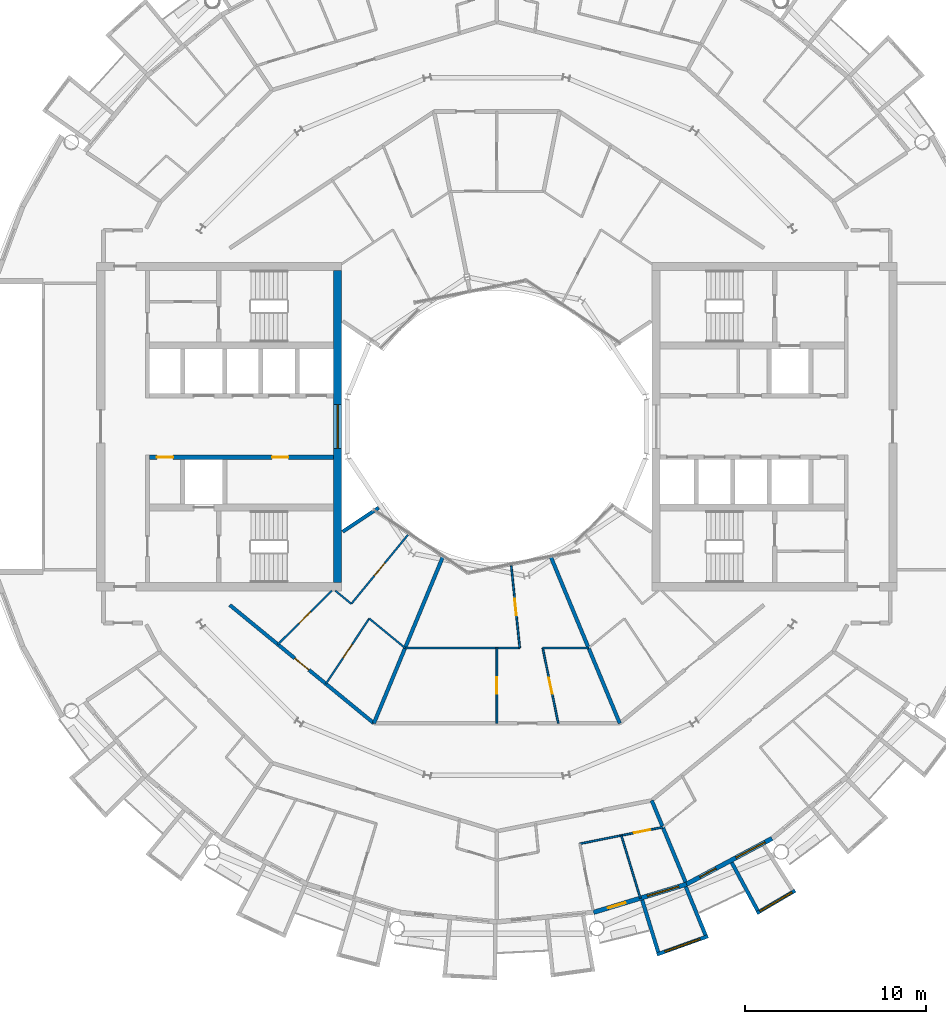
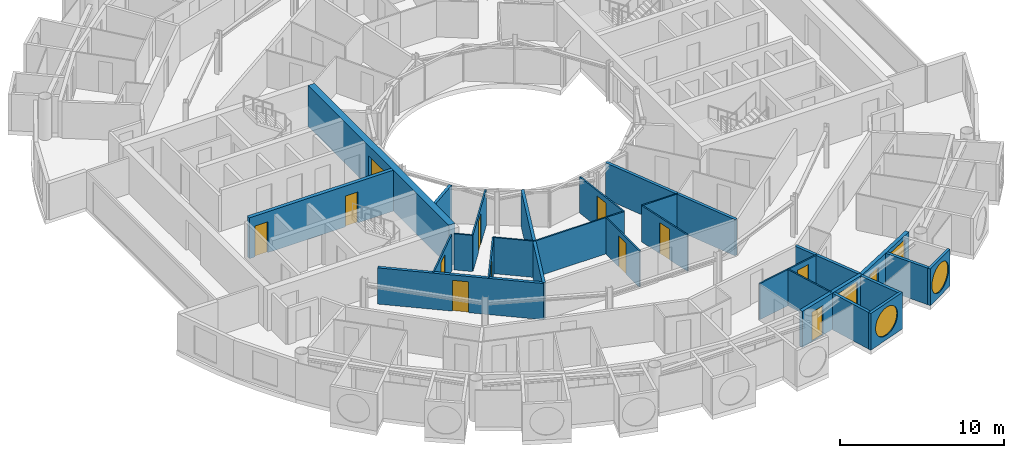
# One storey, part 17 of 28: 26 walls, 12 doors, 5 windows, 17 openings.
"""IFC4 building model written with IfcOpenShell, lengths in metres."""

from ifc_helpers import new_model, si_unit, direction, frame, frame_2d, origin, place, context, subcontext, project, spatial, rectangle, circle, extrude, material, layer, layer_set, type_object, element, fill, save


model = new_model("IFC4")

# Units and contexts
model_context = context("Model", 3, precision=1e-05, world=origin(), true_north=direction((0.0, 1.0)))
body_context = subcontext(model_context, "Body", "Model", "MODEL_VIEW")
ifc_project = project(units=[si_unit("LENGTHUNIT", "METRE"), si_unit("AREAUNIT", "SQUARE_METRE"), si_unit("VOLUMEUNIT", "CUBIC_METRE"), si_unit("PLANEANGLEUNIT", "RADIAN"), si_unit("MASSUNIT", "GRAM", prefix="KILO")], contexts=[model_context])

# Site, building, storey
site_placement = place(None, origin())
site = spatial("IfcSite", under=ifc_project, at=site_placement, CompositionType="ELEMENT")
building_placement = place(site_placement, origin())
building = spatial("IfcBuilding", under=site, at=building_placement, Name="Maasbend Ring Residences", CompositionType="ELEMENT")
storey_placement = place(building_placement, frame((0.0, 0.0, 196.300048828125)))
storey = spatial("IfcBuildingStorey", under=building, at=storey_placement, Name="L56", CompositionType="ELEMENT", Elevation=196.300048828125)

# Wall, openings, doors
ifc_material_1 = material(Name="Concrete C50/60", Category="concrete")
ifc_layer_1 = layer(ifc_material_1, 0.25)
ifc_layer_set_1 = layer_set([ifc_layer_1], Name="Concrete C50/60")
wall_type_1 = type_object("IfcWallType", Name="CORE WALL 250 C50/60", PredefinedType="SHEAR", material=ifc_layer_set_1)
wall_1_placement = place(storey_placement, frame((-9.0, -1.699951171875, 0.0), z_axis=(0.0, 0.0, 1.0), x_axis=(-1.0, 0.0, 0.0)))
wall_1 = element("IfcWall", 1, at=wall_1_placement, inside=storey, type_object=wall_type_1, Name="L56 core W wall SPN", PredefinedType="SHEAR", context=body_context, shape_type="SweptSolid", body=[
    extrude(rectangle(XDim=10.14990234375, YDim=0.25, at=frame_2d((5.074951171875, 0.0))), origin(), (0.0, 0.0, 1.0), 3.050048828125),
])
opening_1_placement = place(wall_1_placement, frame((2.487548828125, 0.0, 0.0)))
opening_1 = element("IfcOpeningElement", 2, at=opening_1_placement, cuts=wall_1, Name="Opening D-W5606", PredefinedType="OPENING", context=body_context, shape_type="SweptSolid", body=[
    extrude(rectangle(XDim=0.89990234375, YDim=2.300048828125, at=frame_2d((0.449951171875, 1.14990234375))), frame((0.0, 0.135009765625, 0.0), z_axis=(0.0, -1.0, 0.0), x_axis=(1.0, 0.0, 0.0)), (0.0, 0.0, 1.0), 0.27001953125),
])
opening_2_placement = place(wall_1_placement, frame((8.83740234375, 0.0, 0.0)))
opening_2 = element("IfcOpeningElement", 3, at=opening_2_placement, cuts=wall_1, Name="Opening D-W5607", PredefinedType="OPENING", context=body_context, shape_type="SweptSolid", body=[
    extrude(rectangle(XDim=0.89990234375, YDim=2.300048828125, at=frame_2d((0.449951171875, 1.14990234375))), frame((0.0, 0.135009765625, 0.0), z_axis=(0.0, -1.0, 0.0), x_axis=(1.0, 0.0, 0.0)), (0.0, 0.0, 1.0), 0.27001953125),
])
ifc_material_2 = material(Name="Steel, powder coated", Category="steel")
door_type_1 = type_object("IfcDoorType", Name="ROOM DOOR 900 X 2300 FD30S", OperationType="NOTDEFINED", PredefinedType="DOOR", material=ifc_material_2)
door_1_placement = place(opening_1_placement, origin())
door_1 = element("IfcDoor", 4, at=door_1_placement, inside=storey, type_object=door_type_1, Name="Room door L56", OperationType="SINGLE_SWING_RIGHT", OverallHeight=2.300048828125, OverallWidth=0.89990234375, PredefinedType="DOOR", context=body_context, shape_type="SweptSolid", body=[
    extrude(rectangle(XDim=0.89990234375, YDim=2.300048828125, at=frame_2d((0.449951171875, 1.14990234375))), frame((0.0, 0.02490234375, 0.0), z_axis=(0.0, -1.0, 0.0), x_axis=(1.0, 0.0, 0.0)), (0.0, 0.0, 1.0), 0.050048828125),
])
fill(opening_1, door_1)
door_2_placement = place(opening_2_placement, origin())
door_2 = element("IfcDoor", 5, at=door_2_placement, inside=storey, type_object=door_type_1, Name="Room door L56", OperationType="SINGLE_SWING_LEFT", OverallHeight=2.300048828125, OverallWidth=0.89990234375, PredefinedType="DOOR", context=body_context, shape_type="SweptSolid", body=[
    extrude(rectangle(XDim=0.89990234375, YDim=2.300048828125, at=frame_2d((0.449951171875, 1.14990234375))), frame((0.0, 0.02490234375, 0.0), z_axis=(0.0, -1.0, 0.0), x_axis=(1.0, 0.0, 0.0)), (0.0, 0.0, 1.0), 0.050048828125),
])
fill(opening_2, door_2)

# Wall, opening, window
ifc_material_3 = material(Name="Concrete C50/60", Category="concrete")
ifc_layer_2 = layer(ifc_material_3, 0.449951171875)
ifc_layer_set_2 = layer_set([ifc_layer_2], Name="Concrete C50/60")
wall_type_2 = type_object("IfcWallType", Name="CORE WALL 450 C50/60", PredefinedType="SHEAR", material=ifc_layer_set_2)
wall_2_placement = place(storey_placement, frame((-8.77490234375, 8.60009765625, 0.0), z_axis=(0.0, 0.0, 1.0), x_axis=(0.0, -1.0, 0.0)))
wall_2 = element("IfcWall", 6, at=wall_2_placement, inside=storey, type_object=wall_type_2, Name="L56 core W wall PIN", PredefinedType="SHEAR", context=body_context, shape_type="SweptSolid", body=[
    extrude(rectangle(XDim=17.2001953125, YDim=0.449951171875, at=frame_2d((8.60009765625, 0.0))), origin(), (0.0, 0.0, 1.0), 3.050048828125),
])
opening_3_placement = place(wall_2_placement, frame((7.39990234375, 0.0, 0.10009765625)))
opening_3 = element("IfcOpeningElement", 7, at=opening_3_placement, cuts=wall_2, Name="Opening W-W5601", PredefinedType="OPENING", context=body_context, shape_type="SweptSolid", body=[
    extrude(rectangle(XDim=2.39990234375, YDim=2.199951171875, at=frame_2d((1.199951171875, 1.10009765625))), frame((0.0, 0.23486328125, 0.0), z_axis=(0.0, -1.0, 0.0), x_axis=(1.0, 0.0, 0.0)), (0.0, 0.0, 1.0), 0.469970703125),
])
ifc_material_4 = material(Name="Aluminium frame and clear glass", Category="aluminium")
window_type_1 = type_object("IfcWindowType", Name="FIXED WINDOW 2400 X 2200", PartitioningType="SINGLE_PANEL", PredefinedType="WINDOW", material=ifc_material_4)
window_1_placement = place(opening_3_placement, origin())
window_1 = element("IfcWindow", 8, at=window_1_placement, inside=storey, type_object=window_type_1, Name="Lobby window L56", OverallHeight=2.199951171875, OverallWidth=2.39990234375, PartitioningType="SINGLE_PANEL", PredefinedType="WINDOW", context=body_context, shape_type="SweptSolid", body=[
    extrude(rectangle(XDim=2.39990234375, YDim=2.199951171875, at=frame_2d((1.199951171875, 1.10009765625))), frame((0.0, 0.030029296875, 0.0), z_axis=(0.0, -1.0, 0.0), x_axis=(1.0, 0.0, 0.0)), (0.0, 0.0, 1.0), 0.06005859375),
])
fill(opening_3, window_1)

# Wall, opening, door
ifc_material_5 = material(Name="Concrete C30/37", Category="concrete")
ifc_layer_3 = layer(ifc_material_5, 0.199951171875)
ifc_layer_set_3 = layer_set([ifc_layer_3], Name="Concrete C30/37")
wall_type_3 = type_object("IfcWallType", Name="CORRIDOR WALL 200 CONCRETE", PredefinedType="PARTITIONING", material=ifc_layer_set_3)
wall_3_placement = place(storey_placement, frame((-14.717041015625, -9.833984375, 0.0), z_axis=(0.0, 0.0, 1.0), x_axis=(0.773034536097, -0.634363938131, 0.0)))
wall_3 = element("IfcWall", 9, at=wall_3_placement, inside=storey, type_object=wall_type_3, Name="U-L56-w017", PredefinedType="PARTITIONING", context=body_context, shape_type="SweptSolid", body=[
    extrude(rectangle(XDim=10.276611328125, YDim=0.199951171875, at=frame_2d((5.13818359375, 0.0))), origin(), (0.0, 0.0, 1.0), 2.699951171875),
])
opening_4_placement = place(wall_3_placement, frame((4.637939453125, 0.0, 0.0)))
opening_4 = element("IfcOpeningElement", 10, at=opening_4_placement, cuts=wall_3, Name="Opening D-5649", PredefinedType="OPENING", context=body_context, shape_type="SweptSolid", body=[
    extrude(rectangle(XDim=1.0, YDim=2.300048828125, at=frame_2d((0.5, 1.14990234375))), frame((0.0, 0.10986328125, 0.0), z_axis=(0.0, -1.0, 0.0), x_axis=(1.0, 0.0, 0.0)), (0.0, 0.0, 1.0), 0.219970703125),
])
ifc_material_6 = material(Name="Timber, fire-rated, painted", Category="wood")
door_type_2 = type_object("IfcDoorType", Name="FLAT ENTRANCE DOOR 1000 X 2300 FIRE-RATED", OperationType="NOTDEFINED", PredefinedType="DOOR", material=ifc_material_6)
door_3_placement = place(opening_4_placement, origin())
door_3 = element("IfcDoor", 11, at=door_3_placement, inside=storey, type_object=door_type_2, Name="D-5649", OperationType="SINGLE_SWING_LEFT", OverallHeight=2.300048828125, OverallWidth=1.0, PredefinedType="DOOR", context=body_context, shape_type="SweptSolid", body=[
    extrude(rectangle(XDim=1.0, YDim=2.300048828125, at=frame_2d((0.5, 1.14990234375))), frame((0.0, 0.02490234375, 0.0), z_axis=(0.0, -1.0, 0.0), x_axis=(1.0, 0.0, 0.0)), (0.0, 0.0, 1.0), 0.050048828125),
])
fill(opening_4, door_3)

# Wall, opening, window
ifc_material_7 = material(Name="Pale anodised aluminium panel", Category="aluminium")
ifc_layer_4 = layer(ifc_material_7, 0.199951171875)
ifc_layer_set_4 = layer_set([ifc_layer_4], Name="EW-BOX")
wall_type_4 = type_object("IfcWallType", Name="EW-BOX", PredefinedType="SOLIDWALL", material=ifc_layer_set_4)
wall_4_placement = place(storey_placement, frame((8.820068359375, -29.093017578125, -0.030029296875), z_axis=(0.0, 0.0, 1.0), x_axis=(0.941461077774, 0.337121697664, 0.0)))
wall_4 = element("IfcWall", 12, at=wall_4_placement, inside=storey, type_object=wall_type_4, Name="Box front S14", PredefinedType="SOLIDWALL", context=body_context, shape_type="SweptSolid", body=[
    extrude(rectangle(XDim=2.9931640625, YDim=0.199951171875, at=frame_2d((1.49658203125, 0.0))), origin(), (0.0, 0.0, 1.0), 2.72998046875),
])
opening_5_placement = place(wall_4_placement, frame((0.45654296875, 0.0, 0.330078125)))
opening_5 = element("IfcOpeningElement", 13, at=opening_5_placement, cuts=wall_4, Name="Opening W-RD", PredefinedType="OPENING", context=body_context, shape_type="SweptSolid", body=[
    extrude(circle(Radius=1.0400390625, at=frame_2d((1.0400390625, 1.0400390625))), frame((0.0, 0.10986328125, 0.0), z_axis=(0.0, -1.0, 0.0), x_axis=(1.0, 0.0, 0.0)), (0.0, 0.0, 1.0), 0.219970703125),
])
ifc_material_8 = material(Name="Aluminium and clear glass", Category="aluminium")
window_type_2 = type_object("IfcWindowType", Name="W-RD", PartitioningType="SINGLE_PANEL", PredefinedType="WINDOW", material=ifc_material_8)
window_2_placement = place(opening_5_placement, origin())
window_2 = element("IfcWindow", 14, at=window_2_placement, inside=storey, type_object=window_type_2, Name="Round window S14", OverallHeight=2.080078125, OverallWidth=2.080078125, PartitioningType="SINGLE_PANEL", PredefinedType="WINDOW", context=body_context, shape_type="SweptSolid", body=[
    extrude(circle(Radius=1.0400390625, at=frame_2d((1.0400390625, 1.0400390625))), frame((0.0, 0.030029296875, 0.0), z_axis=(0.0, -1.0, 0.0), x_axis=(1.0, 0.0, 0.0)), (0.0, 0.0, 1.0), 0.06005859375),
])
fill(opening_5, window_2)

# Walls
wall_5_placement = place(storey_placement, frame((8.009033203125, -26.092041015625, -0.030029296875), z_axis=(0.0, 0.0, 1.0), x_axis=(0.293406695073, -0.955987715029, 0.0)))
element("IfcWall", 15, at=wall_5_placement, inside=storey, type_object=wall_type_4, Name="Box side wall S14 left", PredefinedType="SOLIDWALL", context=body_context, shape_type="SweptSolid", body=[
    extrude(rectangle(XDim=3.00634765625, YDim=0.199951171875, at=frame_2d((1.503173828125, 0.0))), origin(), (0.0, 0.0, 1.0), 2.72998046875),
])
wall_6_placement = place(storey_placement, frame((10.408935546875, -25.364013671875, -0.030029296875), z_axis=(0.0, 0.0, 1.0), x_axis=(0.379509886562, -0.925187681501, 0.0)))
element("IfcWall", 16, at=wall_6_placement, inside=storey, type_object=wall_type_4, Name="Box side wall S14 right", PredefinedType="SOLIDWALL", context=body_context, shape_type="SweptSolid", body=[
    extrude(rectangle(XDim=2.882568359375, YDim=0.199951171875, at=frame_2d((1.44140625, 0.0))), origin(), (0.0, 0.0, 1.0), 2.72998046875),
])

# Wall, opening, window
wall_7_placement = place(storey_placement, frame((14.326904296875, -26.81201171875, -0.030029296875), z_axis=(0.0, 0.0, 1.0), x_axis=(0.862403467503, 0.506221551535, 0.0)))
wall_7 = element("IfcWall", 17, at=wall_7_placement, inside=storey, type_object=wall_type_4, Name="Box front S16", PredefinedType="SOLIDWALL", context=body_context, shape_type="SweptSolid", body=[
    extrude(rectangle(XDim=2.445556640625, YDim=0.199951171875, at=frame_2d((1.22265625, 0.0))), origin(), (0.0, 0.0, 1.0), 2.72998046875),
])
opening_6_placement = place(wall_7_placement, frame((0.182861328125, 0.0, 0.330078125)))
opening_6 = element("IfcOpeningElement", 18, at=opening_6_placement, cuts=wall_7, Name="Opening W-RD", PredefinedType="OPENING", context=body_context, shape_type="SweptSolid", body=[
    extrude(circle(Radius=1.0400390625, at=frame_2d((1.0400390625, 1.0400390625))), frame((0.0, 0.10986328125, 0.0), z_axis=(0.0, -1.0, 0.0), x_axis=(1.0, 0.0, 0.0)), (0.0, 0.0, 1.0), 0.219970703125),
])
window_3_placement = place(opening_6_placement, origin())
window_3 = element("IfcWindow", 19, at=window_3_placement, inside=storey, type_object=window_type_2, Name="Round window S16", OverallHeight=2.080078125, OverallWidth=2.080078125, PartitioningType="SINGLE_PANEL", PredefinedType="WINDOW", context=body_context, shape_type="SweptSolid", body=[
    extrude(circle(Radius=1.0400390625, at=frame_2d((1.0400390625, 1.0400390625))), frame((0.0, 0.030029296875, 0.0), z_axis=(0.0, -1.0, 0.0), x_axis=(1.0, 0.0, 0.0)), (0.0, 0.0, 1.0), 0.06005859375),
])
fill(opening_6, window_3)

# Wall
wall_8_placement = place(storey_placement, frame((12.945068359375, -24.029052734375, -0.030029296875), z_axis=(0.0, 0.0, 1.0), x_axis=(0.474424310775, -0.88029629861, 0.0)))
element("IfcWall", 20, at=wall_8_placement, inside=storey, type_object=wall_type_4, Name="Box side wall S16 left", PredefinedType="SOLIDWALL", context=body_context, shape_type="SweptSolid", body=[
    extrude(rectangle(XDim=3.005859375, YDim=0.199951171875, at=frame_2d((1.5029296875, 0.0))), origin(), (0.0, 0.0, 1.0), 2.72998046875),
])

# Wall, openings, door, window
ifc_material_9 = material(Name="Aluminium clad insulated panel", Category="aluminium")
ifc_layer_5 = layer(ifc_material_9, 0.25)
ifc_layer_set_5 = layer_set([ifc_layer_5], Name="EW-GL")
wall_type_5 = type_object("IfcWallType", Name="EW-GL", PredefinedType="SOLIDWALL", material=ifc_layer_set_5)
wall_9_placement = place(storey_placement, frame((5.325927734375, -26.77490234375, 0.0), z_axis=(0.0, 0.0, 1.0), x_axis=(0.956965678721, 0.290201119486, 0.0)))
wall_9 = element("IfcWall", 21, at=wall_9_placement, inside=storey, type_object=wall_type_5, Name="External wall S07", PredefinedType="SOLIDWALL", context=body_context, shape_type="SweptSolid", body=[
    extrude(rectangle(XDim=5.351318359375, YDim=0.25, at=frame_2d((2.67578125, 0.0))), origin(), (0.0, 0.0, 1.0), 2.699951171875),
])
opening_7_placement = place(wall_9_placement, frame((0.841064453125, 0.0, 0.0)))
opening_7 = element("IfcOpeningElement", 22, at=opening_7_placement, cuts=wall_9, Name="Opening D-LG", PredefinedType="OPENING", context=body_context, shape_type="SweptSolid", body=[
    extrude(rectangle(XDim=1.0, YDim=2.199951171875, at=frame_2d((0.5, 1.10009765625))), frame((0.0, 0.135009765625, 0.0), z_axis=(0.0, -1.0, 0.0), x_axis=(1.0, 0.0, 0.0)), (0.0, 0.0, 1.0), 0.27001953125),
])
opening_8_placement = place(wall_9_placement, frame((3.110595703125, 0.0, 0.300048828125)))
opening_8 = element("IfcOpeningElement", 23, at=opening_8_placement, cuts=wall_9, Name="Opening W-BX", PredefinedType="OPENING", context=body_context, shape_type="SweptSolid", body=[
    extrude(rectangle(XDim=1.800048828125, YDim=2.10009765625, at=frame_2d((0.89990234375, 1.050048828125))), frame((0.0, 0.135009765625, 0.0), z_axis=(0.0, -1.0, 0.0), x_axis=(1.0, 0.0, 0.0)), (0.0, 0.0, 1.0), 0.27001953125),
])
ifc_material_10 = material(Name="Aluminium and clear glass", Category="aluminium")
door_type_3 = type_object("IfcDoorType", Name="D-LG", OperationType="SINGLE_SWING_LEFT", PredefinedType="DOOR", material=ifc_material_10)
door_4_placement = place(opening_7_placement, origin())
door_4 = element("IfcDoor", 24, at=door_4_placement, inside=storey, type_object=door_type_3, Name="Loggia door S13", OperationType="SINGLE_SWING_LEFT", OverallHeight=2.199951171875, OverallWidth=1.0, PredefinedType="DOOR", context=body_context, shape_type="SweptSolid", body=[
    extrude(rectangle(XDim=1.0, YDim=2.199951171875, at=frame_2d((0.5, 1.10009765625))), frame((0.0, 0.02490234375, 0.0), z_axis=(0.0, -1.0, 0.0), x_axis=(1.0, 0.0, 0.0)), (0.0, 0.0, 1.0), 0.050048828125),
])
fill(opening_7, door_4)
ifc_material_11 = material(Name="Aluminium and clear glass", Category="aluminium")
window_type_3 = type_object("IfcWindowType", Name="W-BX", PartitioningType="DOUBLE_PANEL_VERTICAL", PredefinedType="WINDOW", material=ifc_material_11)
window_4_placement = place(opening_8_placement, origin())
window_4 = element("IfcWindow", 25, at=window_4_placement, inside=storey, type_object=window_type_3, Name="Window S14 room to box", OverallHeight=2.10009765625, OverallWidth=1.800048828125, PartitioningType="SINGLE_PANEL", PredefinedType="WINDOW", context=body_context, shape_type="SweptSolid", body=[
    extrude(rectangle(XDim=1.800048828125, YDim=2.10009765625, at=frame_2d((0.89990234375, 1.050048828125))), frame((0.0, 0.030029296875, 0.0), z_axis=(0.0, -1.0, 0.0), x_axis=(1.0, 0.0, 0.0)), (0.0, 0.0, 1.0), 0.06005859375),
])
fill(opening_8, window_4)

wall_10_placement = place(storey_placement, frame((10.447021484375, -25.221923828125, 0.0), z_axis=(0.0, 0.0, 1.0), x_axis=(0.881915646801, 0.471407246368, 0.0)))
wall_10 = element("IfcWall", 26, at=wall_10_placement, inside=storey, type_object=wall_type_5, Name="External wall S08", PredefinedType="SOLIDWALL", context=body_context, shape_type="SweptSolid", body=[
    extrude(rectangle(XDim=5.35205078125, YDim=0.25, at=frame_2d((2.676025390625, 0.0))), origin(), (0.0, 0.0, 1.0), 2.699951171875),
])
opening_9_placement = place(wall_10_placement, frame((0.841064453125, 0.0, 0.0)))
opening_9 = element("IfcOpeningElement", 27, at=opening_9_placement, cuts=wall_10, Name="Opening D-LG", PredefinedType="OPENING", context=body_context, shape_type="SweptSolid", body=[
    extrude(rectangle(XDim=1.0, YDim=2.199951171875, at=frame_2d((0.5, 1.10009765625))), frame((0.0, 0.135009765625, 0.0), z_axis=(0.0, -1.0, 0.0), x_axis=(1.0, 0.0, 0.0)), (0.0, 0.0, 1.0), 0.27001953125),
])
opening_10_placement = place(wall_10_placement, frame((3.110595703125, 0.0, 0.300048828125)))
opening_10 = element("IfcOpeningElement", 28, at=opening_10_placement, cuts=wall_10, Name="Opening W-BX", PredefinedType="OPENING", context=body_context, shape_type="SweptSolid", body=[
    extrude(rectangle(XDim=1.800048828125, YDim=2.10009765625, at=frame_2d((0.89990234375, 1.050048828125))), frame((0.0, 0.135009765625, 0.0), z_axis=(0.0, -1.0, 0.0), x_axis=(1.0, 0.0, 0.0)), (0.0, 0.0, 1.0), 0.27001953125),
])
door_5_placement = place(opening_9_placement, origin())
door_5 = element("IfcDoor", 29, at=door_5_placement, inside=storey, type_object=door_type_3, Name="Loggia door S15", OperationType="SINGLE_SWING_LEFT", OverallHeight=2.199951171875, OverallWidth=1.0, PredefinedType="DOOR", context=body_context, shape_type="SweptSolid", body=[
    extrude(rectangle(XDim=1.0, YDim=2.199951171875, at=frame_2d((0.5, 1.10009765625))), frame((0.0, 0.02490234375, 0.0), z_axis=(0.0, -1.0, 0.0), x_axis=(1.0, 0.0, 0.0)), (0.0, 0.0, 1.0), 0.050048828125),
])
fill(opening_9, door_5)
window_5_placement = place(opening_10_placement, origin())
window_5 = element("IfcWindow", 30, at=window_5_placement, inside=storey, type_object=window_type_3, Name="Window S16 room to box", OverallHeight=2.10009765625, OverallWidth=1.800048828125, PartitioningType="SINGLE_PANEL", PredefinedType="WINDOW", context=body_context, shape_type="SweptSolid", body=[
    extrude(rectangle(XDim=1.800048828125, YDim=2.10009765625, at=frame_2d((0.89990234375, 1.050048828125))), frame((0.0, 0.030029296875, 0.0), z_axis=(0.0, -1.0, 0.0), x_axis=(1.0, 0.0, 0.0)), (0.0, 0.0, 1.0), 0.06005859375),
])
fill(opening_10, window_5)

# Wall, opening, door
ifc_material_12 = material(Name="Gypsum board on steel studs", Category="steel")
ifc_layer_6 = layer(ifc_material_12, 0.10009765625)
ifc_layer_set_6 = layer_set([ifc_layer_6], Name="PARTITION 100 GYPSUM")
wall_type_6 = type_object("IfcWallType", Name="PARTITION 100 GYPSUM", PredefinedType="PARTITIONING", material=ifc_layer_set_6)
wall_11_placement = place(storey_placement, frame((4.576904296875, -22.989013671875, 0.0), z_axis=(0.0, 0.0, 1.0), x_axis=(0.980813600024, 0.194947895622, 0.0)))
wall_11 = element("IfcWall", 31, at=wall_11_placement, inside=storey, type_object=wall_type_6, Name="U-L56-w004", PredefinedType="PARTITIONING", context=body_context, shape_type="SweptSolid", body=[
    extrude(rectangle(XDim=4.662353515625, YDim=0.10009765625, at=frame_2d((2.3310546875, 0.0))), origin(), (0.0, 0.0, 1.0), 2.699951171875),
])
opening_11_placement = place(wall_11_placement, frame((3.04296875, 0.0, 0.0)))
opening_11 = element("IfcOpeningElement", 32, at=opening_11_placement, cuts=wall_11, Name="Opening D-5643", PredefinedType="OPENING", context=body_context, shape_type="SweptSolid", body=[
    extrude(rectangle(XDim=0.89990234375, YDim=2.300048828125, at=frame_2d((0.449951171875, 1.14990234375))), frame((0.0, 0.06005859375, 0.0), z_axis=(0.0, -1.0, 0.0), x_axis=(1.0, 0.0, 0.0)), (0.0, 0.0, 1.0), 0.1201171875),
])
ifc_material_13 = material(Name="Timber, painted", Category="wood")
door_type_4 = type_object("IfcDoorType", Name="INTERNAL DOOR 900 X 2300", OperationType="NOTDEFINED", PredefinedType="DOOR", material=ifc_material_13)
door_6_placement = place(opening_11_placement, origin())
door_6 = element("IfcDoor", 33, at=door_6_placement, inside=storey, type_object=door_type_4, Name="D-5643", OperationType="SINGLE_SWING_RIGHT", OverallHeight=2.300048828125, OverallWidth=0.89990234375, PredefinedType="DOOR", context=body_context, shape_type="SweptSolid", body=[
    extrude(rectangle(XDim=0.89990234375, YDim=2.300048828125, at=frame_2d((0.449951171875, 1.14990234375))), frame((0.0, 0.02490234375, 0.0), z_axis=(0.0, -1.0, 0.0), x_axis=(1.0, 0.0, 0.0)), (0.0, 0.0, 1.0), 0.050048828125),
])
fill(opening_11, door_6)

# Walls
wall_12_placement = place(storey_placement, frame((-8.90087890625, -9.047119140625, 0.0), z_axis=(0.0, 0.0, 1.0), x_axis=(0.772786083133, -0.634666581534, 0.0)))
element("IfcWall", 34, at=wall_12_placement, inside=storey, type_object=wall_type_6, Name="U-L56-w020", PredefinedType="PARTITIONING", context=body_context, shape_type="SweptSolid", body=[
    extrude(rectangle(XDim=1.1435546875, YDim=0.10009765625, at=frame_2d((0.57177734375, 0.0))), origin(), (0.0, 0.0, 1.0), 2.699951171875),
])
wall_13_placement = place(storey_placement, frame((-7.031005859375, -10.58203125, 0.0), z_axis=(0.0, 0.0, 1.0), x_axis=(0.772943675046, -0.634474645046, 0.0)))
element("IfcWall", 35, at=wall_13_placement, inside=storey, type_object=wall_type_6, Name="U-L56-w021", PredefinedType="PARTITIONING", context=body_context, shape_type="SweptSolid", body=[
    extrude(rectangle(XDim=2.556640625, YDim=0.10009765625, at=frame_2d((1.2783203125, 0.0))), origin(), (0.0, 0.0, 1.0), 2.699951171875),
])
wall_14_placement = place(storey_placement, frame((-5.054931640625, -12.2041015625, 0.0), z_axis=(0.0, 0.0, 1.0), x_axis=(1.0, 0.0, 0.0)))
element("IfcWall", 36, at=wall_14_placement, inside=storey, type_object=wall_type_6, Name="U-L56-w024", PredefinedType="PARTITIONING", context=body_context, shape_type="SweptSolid", body=[
    extrude(rectangle(XDim=6.31884765625, YDim=0.10009765625, at=frame_2d((3.159423828125, 0.0))), origin(), (0.0, 0.0, 1.0), 2.699951171875),
])
wall_15_placement = place(storey_placement, frame((2.527099609375, -12.2041015625, 0.0), z_axis=(0.0, 0.0, 1.0), x_axis=(1.0, 0.0, 0.0)))
element("IfcWall", 37, at=wall_15_placement, inside=storey, type_object=wall_type_6, Name="U-L56-w025", PredefinedType="PARTITIONING", context=body_context, shape_type="SweptSolid", body=[
    extrude(rectangle(XDim=2.52783203125, YDim=0.10009765625, at=frame_2d((1.263916015625, 0.0))), origin(), (0.0, 0.0, 1.0), 2.699951171875),
])

# Wall, opening, door
wall_16_placement = place(storey_placement, frame((-12.069091796875, -12.007080078125, 0.0), z_axis=(0.0, 0.0, 1.0), x_axis=(0.708909651863, 0.705299302067, 0.0)))
wall_16 = element("IfcWall", 38, at=wall_16_placement, inside=storey, type_object=wall_type_6, Name="U-L56-w043", PredefinedType="PARTITIONING", context=body_context, shape_type="SweptSolid", body=[
    extrude(rectangle(XDim=4.192626953125, YDim=0.10009765625, at=frame_2d((2.09619140625, 0.0))), origin(), (0.0, 0.0, 1.0), 2.699951171875),
])
opening_12_placement = place(wall_16_placement, frame((1.64599609375, 0.0, 0.0)))
opening_12 = element("IfcOpeningElement", 39, at=opening_12_placement, cuts=wall_16, Name="Opening D-5651", PredefinedType="OPENING", context=body_context, shape_type="SweptSolid", body=[
    extrude(rectangle(XDim=0.89990234375, YDim=2.300048828125, at=frame_2d((0.449951171875, 1.14990234375))), frame((0.0, 0.06005859375, 0.0), z_axis=(0.0, -1.0, 0.0), x_axis=(1.0, 0.0, 0.0)), (0.0, 0.0, 1.0), 0.1201171875),
])
door_7_placement = place(opening_12_placement, origin())
door_7 = element("IfcDoor", 40, at=door_7_placement, inside=storey, type_object=door_type_4, Name="D-5651", OperationType="SINGLE_SWING_LEFT", OverallHeight=2.300048828125, OverallWidth=0.89990234375, PredefinedType="DOOR", context=body_context, shape_type="SweptSolid", body=[
    extrude(rectangle(XDim=0.89990234375, YDim=2.300048828125, at=frame_2d((0.449951171875, 1.14990234375))), frame((0.0, 0.02490234375, 0.0), z_axis=(0.0, -1.0, 0.0), x_axis=(1.0, 0.0, 0.0)), (0.0, 0.0, 1.0), 0.050048828125),
])
fill(opening_12, door_7)

wall_17_placement = place(storey_placement, frame((-9.4208984375, -14.179931640625, 0.0), z_axis=(0.0, 0.0, 1.0), x_axis=(0.553303732327, 0.832979579457, 0.0)))
wall_17 = element("IfcWall", 41, at=wall_17_placement, inside=storey, type_object=wall_type_6, Name="U-L56-w046", PredefinedType="PARTITIONING", context=body_context, shape_type="SweptSolid", body=[
    extrude(rectangle(XDim=4.3193359375, YDim=0.10009765625, at=frame_2d((2.15966796875, 0.0))), origin(), (0.0, 0.0, 1.0), 2.699951171875),
])
opening_13_placement = place(wall_17_placement, frame((1.7099609375, 0.0, 0.0)))
opening_13 = element("IfcOpeningElement", 42, at=opening_13_placement, cuts=wall_17, Name="Opening D-5650", PredefinedType="OPENING", context=body_context, shape_type="SweptSolid", body=[
    extrude(rectangle(XDim=0.89990234375, YDim=2.300048828125, at=frame_2d((0.449951171875, 1.14990234375))), frame((0.0, 0.06005859375, 0.0), z_axis=(0.0, -1.0, 0.0), x_axis=(1.0, 0.0, 0.0)), (0.0, 0.0, 1.0), 0.1201171875),
])
door_8_placement = place(opening_13_placement, origin())
door_8 = element("IfcDoor", 43, at=door_8_placement, inside=storey, type_object=door_type_4, Name="D-5650", OperationType="SINGLE_SWING_RIGHT", OverallHeight=2.300048828125, OverallWidth=0.89990234375, PredefinedType="DOOR", context=body_context, shape_type="SweptSolid", body=[
    extrude(rectangle(XDim=0.89990234375, YDim=2.300048828125, at=frame_2d((0.449951171875, 1.14990234375))), frame((0.0, 0.02490234375, 0.0), z_axis=(0.0, -1.0, 0.0), x_axis=(1.0, 0.0, 0.0)), (0.0, 0.0, 1.0), 0.050048828125),
])
fill(opening_13, door_8)

wall_18_placement = place(storey_placement, frame((-8.01904296875, -9.77099609375, 0.0), z_axis=(0.0, 0.0, 1.0), x_axis=(0.634401778971, 0.773003481776, 0.0)))
wall_18 = element("IfcWall", 44, at=wall_18_placement, inside=storey, type_object=wall_type_6, Name="U-L56-w048", PredefinedType="PARTITIONING", context=body_context, shape_type="SweptSolid", body=[
    extrude(rectangle(XDim=4.919677734375, YDim=0.10009765625, at=frame_2d((2.4599609375, 0.0))), origin(), (0.0, 0.0, 1.0), 2.699951171875),
])
opening_14_placement = place(wall_18_placement, frame((2.010009765625, 0.0, 0.0)))
opening_14 = element("IfcOpeningElement", 45, at=opening_14_placement, cuts=wall_18, Name="Opening D-5652", PredefinedType="OPENING", context=body_context, shape_type="SweptSolid", body=[
    extrude(rectangle(XDim=0.89990234375, YDim=2.300048828125, at=frame_2d((0.449951171875, 1.14990234375))), frame((0.0, 0.06005859375, 0.0), z_axis=(0.0, -1.0, 0.0), x_axis=(1.0, 0.0, 0.0)), (0.0, 0.0, 1.0), 0.1201171875),
])
door_9_placement = place(opening_14_placement, origin())
door_9 = element("IfcDoor", 46, at=door_9_placement, inside=storey, type_object=door_type_4, Name="D-5652", OperationType="SINGLE_SWING_LEFT", OverallHeight=2.300048828125, OverallWidth=0.89990234375, PredefinedType="DOOR", context=body_context, shape_type="SweptSolid", body=[
    extrude(rectangle(XDim=0.89990234375, YDim=2.300048828125, at=frame_2d((0.449951171875, 1.14990234375))), frame((0.0, 0.02490234375, 0.0), z_axis=(0.0, -1.0, 0.0), x_axis=(1.0, 0.0, 0.0)), (0.0, 0.0, 1.0), 0.050048828125),
])
fill(opening_14, door_9)

wall_19_placement = place(storey_placement, frame((0.0, -16.35302734375, 0.0), z_axis=(0.0, 0.0, 1.0), x_axis=(0.0, 1.0, 0.0)))
wall_19 = element("IfcWall", 47, at=wall_19_placement, inside=storey, type_object=wall_type_6, Name="U-L56-w059", PredefinedType="PARTITIONING", context=body_context, shape_type="SweptSolid", body=[
    extrude(rectangle(XDim=4.14892578125, YDim=0.10009765625, at=frame_2d((2.074462890625, 0.0))), origin(), (0.0, 0.0, 1.0), 2.699951171875),
])
opening_15_placement = place(wall_19_placement, frame((1.625, 0.0, 0.0)))
opening_15 = element("IfcOpeningElement", 48, at=opening_15_placement, cuts=wall_19, Name="Opening D-5655", PredefinedType="OPENING", context=body_context, shape_type="SweptSolid", body=[
    extrude(rectangle(XDim=0.89990234375, YDim=2.300048828125, at=frame_2d((0.449951171875, 1.14990234375))), frame((0.0, 0.06005859375, 0.0), z_axis=(0.0, -1.0, 0.0), x_axis=(1.0, 0.0, 0.0)), (0.0, 0.0, 1.0), 0.1201171875),
])
door_10_placement = place(opening_15_placement, origin())
door_10 = element("IfcDoor", 49, at=door_10_placement, inside=storey, type_object=door_type_4, Name="D-5655", OperationType="SINGLE_SWING_RIGHT", OverallHeight=2.300048828125, OverallWidth=0.89990234375, PredefinedType="DOOR", context=body_context, shape_type="SweptSolid", body=[
    extrude(rectangle(XDim=0.89990234375, YDim=2.300048828125, at=frame_2d((0.449951171875, 1.14990234375))), frame((0.0, 0.02490234375, 0.0), z_axis=(0.0, -1.0, 0.0), x_axis=(1.0, 0.0, 0.0)), (0.0, 0.0, 1.0), 0.050048828125),
])
fill(opening_15, door_10)

wall_20_placement = place(storey_placement, frame((0.794921875, -7.678955078125, 0.0), z_axis=(0.0, 0.0, 1.0), x_axis=(0.103089563582, -0.994672077561, 0.0)))
wall_20 = element("IfcWall", 50, at=wall_20_placement, inside=storey, type_object=wall_type_6, Name="U-L56-w062", PredefinedType="PARTITIONING", context=body_context, shape_type="SweptSolid", body=[
    extrude(rectangle(XDim=4.54931640625, YDim=0.10009765625, at=frame_2d((2.274658203125, 0.0))), origin(), (0.0, 0.0, 1.0), 2.699951171875),
])
opening_16_placement = place(wall_20_placement, frame((1.824951171875, 0.0, 0.0)))
opening_16 = element("IfcOpeningElement", 51, at=opening_16_placement, cuts=wall_20, Name="Opening D-5656", PredefinedType="OPENING", context=body_context, shape_type="SweptSolid", body=[
    extrude(rectangle(XDim=0.89990234375, YDim=2.300048828125, at=frame_2d((0.449951171875, 1.14990234375))), frame((0.0, 0.06005859375, 0.0), z_axis=(0.0, -1.0, 0.0), x_axis=(1.0, 0.0, 0.0)), (0.0, 0.0, 1.0), 0.1201171875),
])
door_11_placement = place(opening_16_placement, origin())
door_11 = element("IfcDoor", 52, at=door_11_placement, inside=storey, type_object=door_type_4, Name="D-5656", OperationType="SINGLE_SWING_RIGHT", OverallHeight=2.300048828125, OverallWidth=0.89990234375, PredefinedType="DOOR", context=body_context, shape_type="SweptSolid", body=[
    extrude(rectangle(XDim=0.89990234375, YDim=2.300048828125, at=frame_2d((0.449951171875, 1.14990234375))), frame((0.0, 0.02490234375, 0.0), z_axis=(0.0, -1.0, 0.0), x_axis=(1.0, 0.0, 0.0)), (0.0, 0.0, 1.0), 0.050048828125),
])
fill(opening_16, door_11)

wall_21_placement = place(storey_placement, frame((2.527099609375, -12.2041015625, 0.0), z_axis=(0.0, 0.0, 1.0), x_axis=(0.202937120105, -0.979191771454, 0.0)))
wall_21 = element("IfcWall", 53, at=wall_21_placement, inside=storey, type_object=wall_type_6, Name="U-L56-w064", PredefinedType="PARTITIONING", context=body_context, shape_type="SweptSolid", body=[
    extrude(rectangle(XDim=4.237060546875, YDim=0.10009765625, at=frame_2d((2.11865234375, 0.0))), origin(), (0.0, 0.0, 1.0), 2.699951171875),
])
opening_17_placement = place(wall_21_placement, frame((1.6689453125, 0.0, 0.0)))
opening_17 = element("IfcOpeningElement", 54, at=opening_17_placement, cuts=wall_21, Name="Opening D-5654", PredefinedType="OPENING", context=body_context, shape_type="SweptSolid", body=[
    extrude(rectangle(XDim=0.89990234375, YDim=2.300048828125, at=frame_2d((0.449951171875, 1.14990234375))), frame((0.0, 0.06005859375, 0.0), z_axis=(0.0, -1.0, 0.0), x_axis=(1.0, 0.0, 0.0)), (0.0, 0.0, 1.0), 0.1201171875),
])
door_12_placement = place(opening_17_placement, origin())
door_12 = element("IfcDoor", 55, at=door_12_placement, inside=storey, type_object=door_type_4, Name="D-5654", OperationType="SINGLE_SWING_RIGHT", OverallHeight=2.300048828125, OverallWidth=0.89990234375, PredefinedType="DOOR", context=body_context, shape_type="SweptSolid", body=[
    extrude(rectangle(XDim=0.89990234375, YDim=2.300048828125, at=frame_2d((0.449951171875, 1.14990234375))), frame((0.0, 0.02490234375, 0.0), z_axis=(0.0, -1.0, 0.0), x_axis=(1.0, 0.0, 0.0)), (0.0, 0.0, 1.0), 0.050048828125),
])
fill(opening_17, door_12)

# Walls
wall_22_placement = place(storey_placement, frame((6.860107421875, -22.535888671875, 0.0), z_axis=(0.0, 0.0, 1.0), x_axis=(0.291054201552, -0.956706565128, 0.0)))
element("IfcWall", 56, at=wall_22_placement, inside=storey, type_object=wall_type_6, Name="U-L56-w074", PredefinedType="PARTITIONING", context=body_context, shape_type="SweptSolid", body=[
    extrude(rectangle(XDim=3.617919921875, YDim=0.10009765625, at=frame_2d((1.80908203125, 0.0))), origin(), (0.0, 0.0, 1.0), 2.699951171875),
])
ifc_material_14 = material(Name="Concrete C30/37", Category="concrete")
ifc_layer_7 = layer(ifc_material_14, 0.199951171875)
ifc_layer_set_7 = layer_set([ifc_layer_7], Name="Concrete C30/37")
wall_type_7 = type_object("IfcWallType", Name="PARTY WALL 200 CONCRETE", PredefinedType="PARTITIONING", material=ifc_layer_set_7)
wall_23_placement = place(storey_placement, frame((-6.512939453125, -4.471923828125, 0.0), z_axis=(0.0, 0.0, 1.0), x_axis=(-0.831403409976, -0.555669299026, 0.0)))
element("IfcWall", 57, at=wall_23_placement, inside=storey, type_object=wall_type_7, Name="U-L56-w028", PredefinedType="PARTITIONING", context=body_context, shape_type="SweptSolid", body=[
    extrude(rectangle(XDim=2.382568359375, YDim=0.199951171875, at=frame_2d((1.19140625, 0.0))), origin(), (0.0, 0.0, 1.0), 2.699951171875),
])
for number, where, z_axis, x_axis, name in (
    (58, (-6.77392578125, -16.35302734375, 0.0), (0.0, 0.0, 1.0), (0.382716169203, 0.92386597179, 0.0), "U-L56-w051"),
    (59, (2.9541015625, -7.132080078125, 0.0), (0.0, 0.0, 1.0), (0.382716169203, -0.92386597179, 0.0), "U-L56-w066"),
):
    element("IfcWall", number, at=place(storey_placement, frame(where, z_axis=z_axis, x_axis=x_axis)), inside=storey, type_object=wall_type_7, Name=name, PredefinedType="PARTITIONING", context=body_context, shape_type="SweptSolid", body=[
        extrude(rectangle(XDim=9.980712890625, YDim=0.199951171875, at=frame_2d((4.990234375, 0.0))), origin(), (0.0, 0.0, 1.0), 2.699951171875),
    ])
wall_24_placement = place(storey_placement, frame((8.533935546875, -20.60302734375, 0.0), z_axis=(0.0, 0.0, 1.0), x_axis=(0.382651153718, -0.923892902104, 0.0)))
element("IfcWall", 60, at=wall_24_placement, inside=storey, type_object=wall_type_7, Name="U-L56-w076", PredefinedType="PARTITIONING", context=body_context, shape_type="SweptSolid", body=[
    extrude(rectangle(XDim=4.873779296875, YDim=0.199951171875, at=frame_2d((2.43701171875, 0.0))), origin(), (0.0, 0.0, 1.0), 2.699951171875),
])

save(model, "model.ifc")
